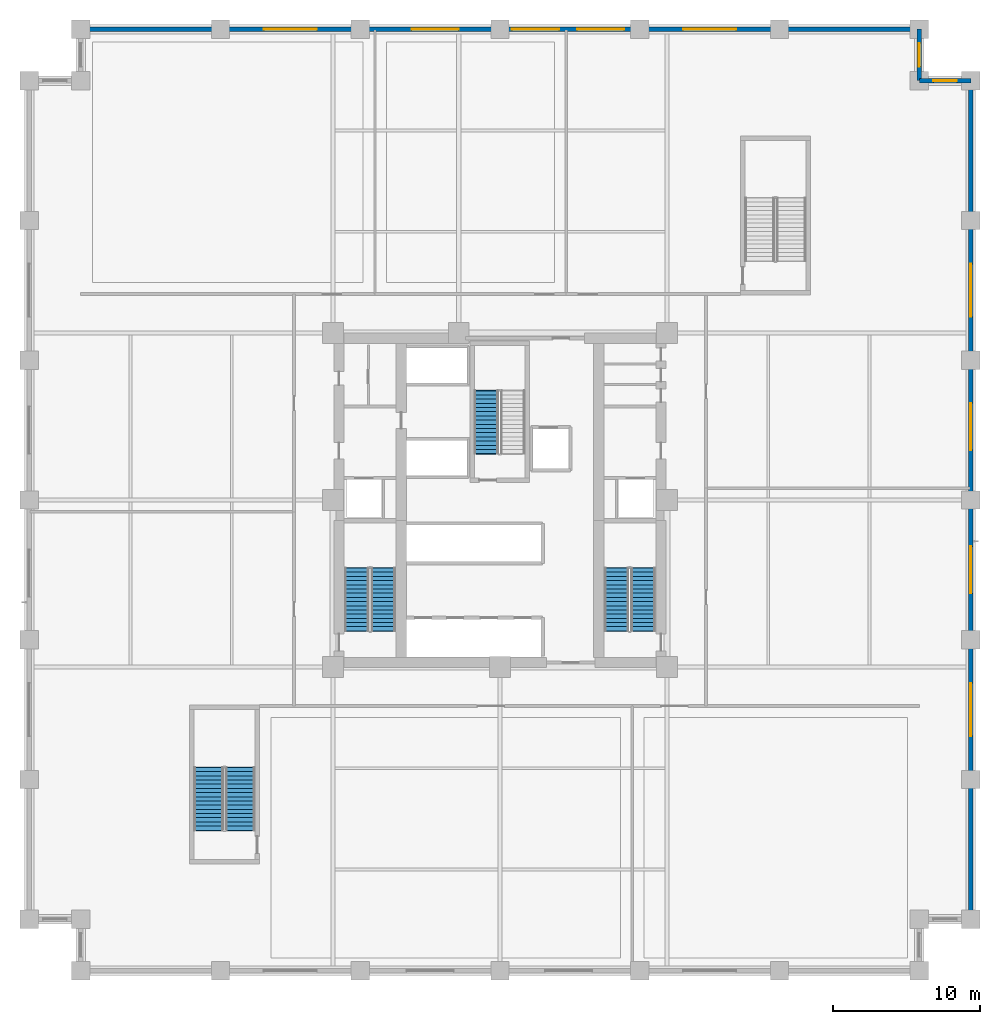
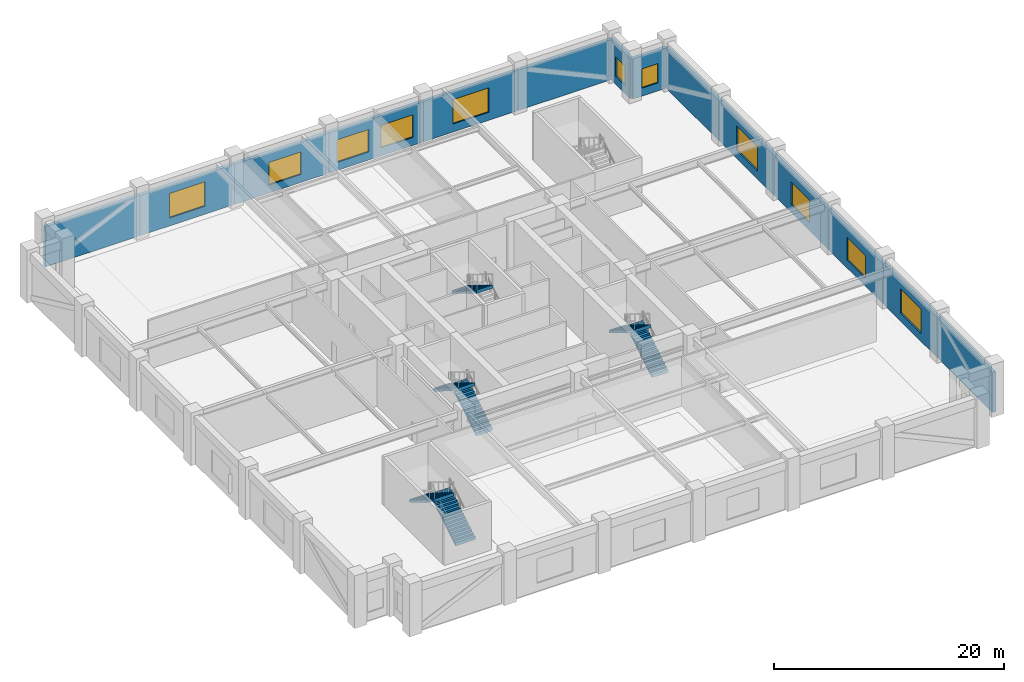
# One storey, part 8 of 14: 14 walls, 11 windows, 7 stair flights, 11 openings, 4 elements without a shape of their own.
"""IFC4 building model written with IfcOpenShell, lengths in metres."""

from ifc_helpers import new_model, si_unit, direction, frame, frame_2d, origin, place, context, subcontext, project, spatial, polyline, rectangle, outline, extrude, material, layer, layer_set, type_object, element, fill, aggregate, save


model = new_model("IFC4")

# Units and contexts
model_context = context("Model", 3, precision=1e-05, world=origin(), true_north=direction((0.0, 1.0)))
body_context = subcontext(model_context, "Body", "Model", "MODEL_VIEW")
ifc_project = project(units=[si_unit("LENGTHUNIT", "METRE"), si_unit("AREAUNIT", "SQUARE_METRE"), si_unit("VOLUMEUNIT", "CUBIC_METRE"), si_unit("PLANEANGLEUNIT", "RADIAN"), si_unit("MASSUNIT", "GRAM", prefix="KILO")], contexts=[model_context])

# Site, building, storey
site_placement = place(None, origin())
site = spatial("IfcSite", under=ifc_project, at=site_placement, CompositionType="ELEMENT")
building_placement = place(site_placement, origin())
building = spatial("IfcBuilding", under=site, at=building_placement, Name="Nhamokura Convention Tower", CompositionType="ELEMENT")
storey_placement = place(building_placement, frame((0.0, 0.0, 23.800048828125)))
storey = spatial("IfcBuildingStorey", under=building, at=storey_placement, Name="L04", CompositionType="ELEMENT", Elevation=23.800048828125)

# Wall
ifc_material_1 = material(Name="Bronze-pigmented precast concrete C45/55", Category="concrete")
ifc_layer = layer(ifc_material_1, 0.320068359375)
ifc_layer_set = layer_set([ifc_layer], Name="BronzePrecastSpandrel_320")
wall_type = type_object("IfcWallType", Name="BronzePrecastSpandrel_320", PredefinedType="USERDEFINED", material=ifc_layer_set)
wall_1_placement = place(storey_placement, frame((3.5, 64.0, 0.0), z_axis=(0.0, 0.0, 1.0), x_axis=(1.0, 0.0, 0.0)))
element("IfcWall", 1, at=wall_1_placement, inside=storey, type_object=wall_type, Name="L04 Braced-Bay Precast Wall NORTH 0", ObjectType="SPANDREL_WALL", PredefinedType="USERDEFINED", context=body_context, shape_type="SweptSolid", body=[
    extrude(rectangle(XDim=9.5, YDim=0.320068359375, at=frame_2d((4.75, 0.0))), origin(), (0.0, 0.0, 1.0), 4.280029296875),
])

# Wall, opening, window
wall_2_placement = place(storey_placement, frame((13.0, 64.0, 0.0), z_axis=(0.0, 0.0, 1.0), x_axis=(1.0, 0.0, 0.0)))
wall_2 = element("IfcWall", 2, at=wall_2_placement, inside=storey, type_object=wall_type, Name="L04 Masonry-Frame Wall NORTH 1", ObjectType="SPANDREL_WALL", PredefinedType="USERDEFINED", context=body_context, shape_type="SweptSolid", body=[
    extrude(rectangle(XDim=9.5, YDim=0.320068359375, at=frame_2d((4.75, 0.0))), origin(), (0.0, 0.0, 1.0), 4.280029296875),
])
opening_1_placement = place(wall_2_placement, frame((2.949951171875, 0.0, 0.85009765625)))
opening_1 = element("IfcOpeningElement", 3, at=opening_1_placement, cuts=wall_2, Name="Opening W-01", PredefinedType="OPENING", context=body_context, shape_type="SweptSolid", body=[
    extrude(rectangle(XDim=3.60009765625, YDim=2.60009765625, at=frame_2d((1.800048828125, 1.300048828125))), frame((0.0, 0.169921875, 0.0), z_axis=(0.0, -1.0, 0.0), x_axis=(1.0, 0.0, 0.0)), (0.0, 0.0, 1.0), 0.340087890625),
])
ifc_material_2 = material(Name="Solar-control bronze low-E double glass", Category="glass")
window_type_1 = type_object("IfcWindowType", Name="PodiumClerestoryWindow_3600", PartitioningType="TRIPLE_PANEL_VERTICAL", PredefinedType="WINDOW", material=ifc_material_2)
window_1_placement = place(opening_1_placement, origin())
window_1 = element("IfcWindow", 4, at=window_1_placement, inside=storey, type_object=window_type_1, Name="L04 Facade Window NORTH 1", OverallHeight=2.60009765625, OverallWidth=3.60009765625, PartitioningType="SINGLE_PANEL", PredefinedType="WINDOW", context=body_context, shape_type="SweptSolid", body=[
    extrude(rectangle(XDim=3.60009765625, YDim=2.60009765625, at=frame_2d((1.800048828125, 1.300048828125))), frame((0.0, 0.030029296875, 0.0), z_axis=(0.0, -1.0, 0.0), x_axis=(1.0, 0.0, 0.0)), (0.0, 0.0, 1.0), 0.06005859375),
])
fill(opening_1, window_1)

wall_3_placement = place(storey_placement, frame((22.5, 64.0, 0.0), z_axis=(0.0, 0.0, 1.0), x_axis=(1.0, 0.0, 0.0)))
wall_3 = element("IfcWall", 5, at=wall_3_placement, inside=storey, type_object=wall_type, Name="L04 Masonry-Frame Wall NORTH 2", ObjectType="SPANDREL_WALL", PredefinedType="USERDEFINED", context=body_context, shape_type="SweptSolid", body=[
    extrude(rectangle(XDim=9.5, YDim=0.320068359375, at=frame_2d((4.75, 0.0))), origin(), (0.0, 0.0, 1.0), 4.280029296875),
])
opening_2_placement = place(wall_3_placement, frame((3.487548828125, 0.0, 0.85009765625)))
opening_2 = element("IfcOpeningElement", 6, at=opening_2_placement, cuts=wall_3, Name="Opening W-02", PredefinedType="OPENING", context=body_context, shape_type="SweptSolid", body=[
    extrude(rectangle(XDim=3.199951171875, YDim=2.39990234375, at=frame_2d((1.60009765625, 1.199951171875))), frame((0.0, 0.169921875, 0.0), z_axis=(0.0, -1.0, 0.0), x_axis=(1.0, 0.0, 0.0)), (0.0, 0.0, 1.0), 0.340087890625),
])
ifc_material_3 = material(Name="Solar-control bronze low-E double glass", Category="glass")
window_type_2 = type_object("IfcWindowType", Name="ConventionFoyerWindow_3200", PartitioningType="DOUBLE_PANEL_VERTICAL", PredefinedType="WINDOW", material=ifc_material_3)
window_2_placement = place(opening_2_placement, origin())
window_2 = element("IfcWindow", 7, at=window_2_placement, inside=storey, type_object=window_type_2, Name="L04 Facade Window NORTH 2-2", OverallHeight=2.39990234375, OverallWidth=3.199951171875, PartitioningType="SINGLE_PANEL", PredefinedType="WINDOW", context=body_context, shape_type="SweptSolid", body=[
    extrude(rectangle(XDim=3.199951171875, YDim=2.39990234375, at=frame_2d((1.60009765625, 1.199951171875))), frame((0.0, 0.030029296875, 0.0), z_axis=(0.0, -1.0, 0.0), x_axis=(1.0, 0.0, 0.0)), (0.0, 0.0, 1.0), 0.06005859375),
])
fill(opening_2, window_2)

# Wall, openings, windows
wall_4_placement = place(storey_placement, frame((32.0, 64.0, 0.0), z_axis=(0.0, 0.0, 1.0), x_axis=(1.0, 0.0, 0.0)))
wall_4 = element("IfcWall", 8, at=wall_4_placement, inside=storey, type_object=wall_type, Name="L04 Masonry-Frame Wall NORTH 3", ObjectType="SPANDREL_WALL", PredefinedType="USERDEFINED", context=body_context, shape_type="SweptSolid", body=[
    extrude(rectangle(XDim=9.5, YDim=0.320068359375, at=frame_2d((4.75, 0.0))), origin(), (0.0, 0.0, 1.0), 4.280029296875),
])
opening_3_placement = place(wall_4_placement, frame((0.8125, 0.0, 0.85009765625)))
opening_3 = element("IfcOpeningElement", 9, at=opening_3_placement, cuts=wall_4, Name="Opening W-02", PredefinedType="OPENING", context=body_context, shape_type="SweptSolid", body=[
    extrude(rectangle(XDim=3.199951171875, YDim=2.39990234375, at=frame_2d((1.60009765625, 1.199951171875))), frame((0.0, 0.169921875, 0.0), z_axis=(0.0, -1.0, 0.0), x_axis=(1.0, 0.0, 0.0)), (0.0, 0.0, 1.0), 0.340087890625),
])
opening_4_placement = place(wall_4_placement, frame((5.237548828125, 0.0, 0.85009765625)))
opening_4 = element("IfcOpeningElement", 10, at=opening_4_placement, cuts=wall_4, Name="Opening W-02", PredefinedType="OPENING", context=body_context, shape_type="SweptSolid", body=[
    extrude(rectangle(XDim=3.199951171875, YDim=2.39990234375, at=frame_2d((1.60009765625, 1.199951171875))), frame((0.0, 0.169921875, 0.0), z_axis=(0.0, -1.0, 0.0), x_axis=(1.0, 0.0, 0.0)), (0.0, 0.0, 1.0), 0.340087890625),
])
window_3_placement = place(opening_3_placement, origin())
window_3 = element("IfcWindow", 11, at=window_3_placement, inside=storey, type_object=window_type_2, Name="L04 Facade Window NORTH 3-1", OverallHeight=2.39990234375, OverallWidth=3.199951171875, PartitioningType="SINGLE_PANEL", PredefinedType="WINDOW", context=body_context, shape_type="SweptSolid", body=[
    extrude(rectangle(XDim=3.199951171875, YDim=2.39990234375, at=frame_2d((1.60009765625, 1.199951171875))), frame((0.0, 0.030029296875, 0.0), z_axis=(0.0, -1.0, 0.0), x_axis=(1.0, 0.0, 0.0)), (0.0, 0.0, 1.0), 0.06005859375),
])
fill(opening_3, window_3)
window_4_placement = place(opening_4_placement, origin())
window_4 = element("IfcWindow", 12, at=window_4_placement, inside=storey, type_object=window_type_2, Name="L04 Facade Window NORTH 3-2", OverallHeight=2.39990234375, OverallWidth=3.199951171875, PartitioningType="SINGLE_PANEL", PredefinedType="WINDOW", context=body_context, shape_type="SweptSolid", body=[
    extrude(rectangle(XDim=3.199951171875, YDim=2.39990234375, at=frame_2d((1.60009765625, 1.199951171875))), frame((0.0, 0.030029296875, 0.0), z_axis=(0.0, -1.0, 0.0), x_axis=(1.0, 0.0, 0.0)), (0.0, 0.0, 1.0), 0.06005859375),
])
fill(opening_4, window_4)

# Wall, opening, window
wall_5_placement = place(storey_placement, frame((41.5, 64.0, 0.0), z_axis=(0.0, 0.0, 1.0), x_axis=(1.0, 0.0, 0.0)))
wall_5 = element("IfcWall", 13, at=wall_5_placement, inside=storey, type_object=wall_type, Name="L04 Masonry-Frame Wall NORTH 4", ObjectType="SPANDREL_WALL", PredefinedType="USERDEFINED", context=body_context, shape_type="SweptSolid", body=[
    extrude(rectangle(XDim=9.5, YDim=0.320068359375, at=frame_2d((4.75, 0.0))), origin(), (0.0, 0.0, 1.0), 4.280029296875),
])
opening_5_placement = place(wall_5_placement, frame((2.949951171875, 0.0, 0.85009765625)))
opening_5 = element("IfcOpeningElement", 14, at=opening_5_placement, cuts=wall_5, Name="Opening W-01", PredefinedType="OPENING", context=body_context, shape_type="SweptSolid", body=[
    extrude(rectangle(XDim=3.60009765625, YDim=2.60009765625, at=frame_2d((1.800048828125, 1.300048828125))), frame((0.0, 0.169921875, 0.0), z_axis=(0.0, -1.0, 0.0), x_axis=(1.0, 0.0, 0.0)), (0.0, 0.0, 1.0), 0.340087890625),
])
window_5_placement = place(opening_5_placement, origin())
window_5 = element("IfcWindow", 15, at=window_5_placement, inside=storey, type_object=window_type_1, Name="L04 Facade Window NORTH 4", OverallHeight=2.60009765625, OverallWidth=3.60009765625, PartitioningType="SINGLE_PANEL", PredefinedType="WINDOW", context=body_context, shape_type="SweptSolid", body=[
    extrude(rectangle(XDim=3.60009765625, YDim=2.60009765625, at=frame_2d((1.800048828125, 1.300048828125))), frame((0.0, 0.030029296875, 0.0), z_axis=(0.0, -1.0, 0.0), x_axis=(1.0, 0.0, 0.0)), (0.0, 0.0, 1.0), 0.06005859375),
])
fill(opening_5, window_5)

# Walls
for number, where, z_axis, x_axis, name in (
    (16, (51.0, 64.0, 0.0), (0.0, 0.0, 1.0), (1.0, 0.0, 0.0), "L04 Braced-Bay Precast Wall NORTH 5"),
    (17, (64.0, 13.0, 0.0), (0.0, 0.0, 1.0), (0.0, -1.0, 0.0), "L04 Braced-Bay Precast Wall EAST 0"),
):
    element("IfcWall", number, at=place(storey_placement, frame(where, z_axis=z_axis, x_axis=x_axis)), inside=storey, type_object=wall_type, Name=name, ObjectType="SPANDREL_WALL", PredefinedType="USERDEFINED", context=body_context, shape_type="SweptSolid", body=[
        extrude(rectangle(XDim=9.5, YDim=0.320068359375, at=frame_2d((4.75, 0.0))), origin(), (0.0, 0.0, 1.0), 4.280029296875),
    ])

# Wall, opening, window
wall_6_placement = place(storey_placement, frame((64.0, 22.5, 0.0), z_axis=(0.0, 0.0, 1.0), x_axis=(0.0, -1.0, 0.0)))
wall_6 = element("IfcWall", 18, at=wall_6_placement, inside=storey, type_object=wall_type, Name="L04 Masonry-Frame Wall EAST 1", ObjectType="SPANDREL_WALL", PredefinedType="USERDEFINED", context=body_context, shape_type="SweptSolid", body=[
    extrude(rectangle(XDim=9.5, YDim=0.320068359375, at=frame_2d((4.75, 0.0))), origin(), (0.0, 0.0, 1.0), 4.280029296875),
])
opening_6_placement = place(wall_6_placement, frame((2.949951171875, 0.0, 0.85009765625)))
opening_6 = element("IfcOpeningElement", 19, at=opening_6_placement, cuts=wall_6, Name="Opening W-01", PredefinedType="OPENING", context=body_context, shape_type="SweptSolid", body=[
    extrude(rectangle(XDim=3.60009765625, YDim=2.60009765625, at=frame_2d((1.800048828125, 1.300048828125))), frame((0.0, 0.169921875, 0.0), z_axis=(0.0, -1.0, 0.0), x_axis=(1.0, 0.0, 0.0)), (0.0, 0.0, 1.0), 0.340087890625),
])
window_6_placement = place(opening_6_placement, origin())
window_6 = element("IfcWindow", 20, at=window_6_placement, inside=storey, type_object=window_type_1, Name="L04 Facade Window EAST 1", OverallHeight=2.60009765625, OverallWidth=3.60009765625, PartitioningType="SINGLE_PANEL", PredefinedType="WINDOW", context=body_context, shape_type="SweptSolid", body=[
    extrude(rectangle(XDim=3.60009765625, YDim=2.60009765625, at=frame_2d((1.800048828125, 1.300048828125))), frame((0.0, 0.030029296875, 0.0), z_axis=(0.0, -1.0, 0.0), x_axis=(1.0, 0.0, 0.0)), (0.0, 0.0, 1.0), 0.06005859375),
])
fill(opening_6, window_6)

wall_7_placement = place(storey_placement, frame((64.0, 32.0, 0.0), z_axis=(0.0, 0.0, 1.0), x_axis=(0.0, -1.0, 0.0)))
wall_7 = element("IfcWall", 21, at=wall_7_placement, inside=storey, type_object=wall_type, Name="L04 Masonry-Frame Wall EAST 2", ObjectType="SPANDREL_WALL", PredefinedType="USERDEFINED", context=body_context, shape_type="SweptSolid", body=[
    extrude(rectangle(XDim=9.5, YDim=0.320068359375, at=frame_2d((4.75, 0.0))), origin(), (0.0, 0.0, 1.0), 4.280029296875),
])
opening_7_placement = place(wall_7_placement, frame((3.14990234375, 0.0, 0.85009765625)))
opening_7 = element("IfcOpeningElement", 22, at=opening_7_placement, cuts=wall_7, Name="Opening W-02", PredefinedType="OPENING", context=body_context, shape_type="SweptSolid", body=[
    extrude(rectangle(XDim=3.199951171875, YDim=2.39990234375, at=frame_2d((1.60009765625, 1.199951171875))), frame((0.0, 0.169921875, 0.0), z_axis=(0.0, -1.0, 0.0), x_axis=(1.0, 0.0, 0.0)), (0.0, 0.0, 1.0), 0.340087890625),
])
window_7_placement = place(opening_7_placement, origin())
window_7 = element("IfcWindow", 23, at=window_7_placement, inside=storey, type_object=window_type_2, Name="L04 Facade Window EAST 2", OverallHeight=2.39990234375, OverallWidth=3.199951171875, PartitioningType="SINGLE_PANEL", PredefinedType="WINDOW", context=body_context, shape_type="SweptSolid", body=[
    extrude(rectangle(XDim=3.199951171875, YDim=2.39990234375, at=frame_2d((1.60009765625, 1.199951171875))), frame((0.0, 0.030029296875, 0.0), z_axis=(0.0, -1.0, 0.0), x_axis=(1.0, 0.0, 0.0)), (0.0, 0.0, 1.0), 0.06005859375),
])
fill(opening_7, window_7)

wall_8_placement = place(storey_placement, frame((64.0, 41.5, 0.0), z_axis=(0.0, 0.0, 1.0), x_axis=(0.0, -1.0, 0.0)))
wall_8 = element("IfcWall", 24, at=wall_8_placement, inside=storey, type_object=wall_type, Name="L04 Masonry-Frame Wall EAST 3", ObjectType="SPANDREL_WALL", PredefinedType="USERDEFINED", context=body_context, shape_type="SweptSolid", body=[
    extrude(rectangle(XDim=9.5, YDim=0.320068359375, at=frame_2d((4.75, 0.0))), origin(), (0.0, 0.0, 1.0), 4.280029296875),
])
opening_8_placement = place(wall_8_placement, frame((2.91259765625, 0.0, 0.85009765625)))
opening_8 = element("IfcOpeningElement", 25, at=opening_8_placement, cuts=wall_8, Name="Opening W-02", PredefinedType="OPENING", context=body_context, shape_type="SweptSolid", body=[
    extrude(rectangle(XDim=3.199951171875, YDim=2.39990234375, at=frame_2d((1.60009765625, 1.199951171875))), frame((0.0, 0.169921875, 0.0), z_axis=(0.0, -1.0, 0.0), x_axis=(1.0, 0.0, 0.0)), (0.0, 0.0, 1.0), 0.340087890625),
])
window_8_placement = place(opening_8_placement, origin())
window_8 = element("IfcWindow", 26, at=window_8_placement, inside=storey, type_object=window_type_2, Name="L04 Facade Window EAST 3", OverallHeight=2.39990234375, OverallWidth=3.199951171875, PartitioningType="SINGLE_PANEL", PredefinedType="WINDOW", context=body_context, shape_type="SweptSolid", body=[
    extrude(rectangle(XDim=3.199951171875, YDim=2.39990234375, at=frame_2d((1.60009765625, 1.199951171875))), frame((0.0, 0.030029296875, 0.0), z_axis=(0.0, -1.0, 0.0), x_axis=(1.0, 0.0, 0.0)), (0.0, 0.0, 1.0), 0.06005859375),
])
fill(opening_8, window_8)

wall_9_placement = place(storey_placement, frame((64.0, 51.0, 0.0), z_axis=(0.0, 0.0, 1.0), x_axis=(0.0, -1.0, 0.0)))
wall_9 = element("IfcWall", 27, at=wall_9_placement, inside=storey, type_object=wall_type, Name="L04 Masonry-Frame Wall EAST 4", ObjectType="SPANDREL_WALL", PredefinedType="USERDEFINED", context=body_context, shape_type="SweptSolid", body=[
    extrude(rectangle(XDim=9.5, YDim=0.320068359375, at=frame_2d((4.75, 0.0))), origin(), (0.0, 0.0, 1.0), 4.280029296875),
])
opening_9_placement = place(wall_9_placement, frame((2.949951171875, 0.0, 0.85009765625)))
opening_9 = element("IfcOpeningElement", 28, at=opening_9_placement, cuts=wall_9, Name="Opening W-01", PredefinedType="OPENING", context=body_context, shape_type="SweptSolid", body=[
    extrude(rectangle(XDim=3.60009765625, YDim=2.60009765625, at=frame_2d((1.800048828125, 1.300048828125))), frame((0.0, 0.169921875, 0.0), z_axis=(0.0, -1.0, 0.0), x_axis=(1.0, 0.0, 0.0)), (0.0, 0.0, 1.0), 0.340087890625),
])
window_9_placement = place(opening_9_placement, origin())
window_9 = element("IfcWindow", 29, at=window_9_placement, inside=storey, type_object=window_type_1, Name="L04 Facade Window EAST 4", OverallHeight=2.60009765625, OverallWidth=3.60009765625, PartitioningType="SINGLE_PANEL", PredefinedType="WINDOW", context=body_context, shape_type="SweptSolid", body=[
    extrude(rectangle(XDim=3.60009765625, YDim=2.60009765625, at=frame_2d((1.800048828125, 1.300048828125))), frame((0.0, 0.030029296875, 0.0), z_axis=(0.0, -1.0, 0.0), x_axis=(1.0, 0.0, 0.0)), (0.0, 0.0, 1.0), 0.06005859375),
])
fill(opening_9, window_9)

# Wall
wall_10_placement = place(storey_placement, frame((64.0, 60.5, 0.0), z_axis=(0.0, 0.0, 1.0), x_axis=(0.0, -1.0, 0.0)))
element("IfcWall", 30, at=wall_10_placement, inside=storey, type_object=wall_type, Name="L04 Braced-Bay Precast Wall EAST 5", ObjectType="SPANDREL_WALL", PredefinedType="USERDEFINED", context=body_context, shape_type="SweptSolid", body=[
    extrude(rectangle(XDim=9.5, YDim=0.320068359375, at=frame_2d((4.75, 0.0))), origin(), (0.0, 0.0, 1.0), 4.280029296875),
])

# Wall, opening, window
wall_11_placement = place(storey_placement, frame((60.5, 60.5, 0.0), z_axis=(0.0, 0.0, 1.0), x_axis=(1.0, 0.0, 0.0)))
wall_11 = element("IfcWall", 31, at=wall_11_placement, inside=storey, type_object=wall_type, Name="L04 Notched Corner Wall NE1", ObjectType="SPANDREL_WALL", PredefinedType="USERDEFINED", context=body_context, shape_type="SweptSolid", body=[
    extrude(rectangle(XDim=3.5, YDim=0.320068359375, at=frame_2d((1.75, 0.0))), origin(), (0.0, 0.0, 1.0), 4.280029296875),
])
opening_10_placement = place(wall_11_placement, frame((0.949951171875, 0.0, 0.85009765625)))
opening_10 = element("IfcOpeningElement", 32, at=opening_10_placement, cuts=wall_11, Name="Opening W-11", PredefinedType="OPENING", context=body_context, shape_type="SweptSolid", body=[
    extrude(rectangle(XDim=1.60009765625, YDim=2.050048828125, at=frame_2d((0.800048828125, 1.02490234375))), frame((0.0, 0.169921875, 0.0), z_axis=(0.0, -1.0, 0.0), x_axis=(1.0, 0.0, 0.0)), (0.0, 0.0, 1.0), 0.340087890625),
])
ifc_material_4 = material(Name="Solar-control bronze low-E double glass", Category="glass")
window_type_3 = type_object("IfcWindowType", Name="NotchCornerWindow_1600", PartitioningType="SINGLE_PANEL", PredefinedType="WINDOW", material=ifc_material_4)
window_10_placement = place(opening_10_placement, origin())
window_10 = element("IfcWindow", 33, at=window_10_placement, inside=storey, type_object=window_type_3, Name="L04 Notched Corner Window NE1", OverallHeight=2.050048828125, OverallWidth=1.60009765625, PartitioningType="SINGLE_PANEL", PredefinedType="WINDOW", context=body_context, shape_type="SweptSolid", body=[
    extrude(rectangle(XDim=1.60009765625, YDim=2.050048828125, at=frame_2d((0.800048828125, 1.02490234375))), frame((0.0, 0.030029296875, 0.0), z_axis=(0.0, -1.0, 0.0), x_axis=(1.0, 0.0, 0.0)), (0.0, 0.0, 1.0), 0.06005859375),
])
fill(opening_10, window_10)

wall_12_placement = place(storey_placement, frame((60.5, 64.0, 0.0), z_axis=(0.0, 0.0, 1.0), x_axis=(0.0, -1.0, 0.0)))
wall_12 = element("IfcWall", 34, at=wall_12_placement, inside=storey, type_object=wall_type, Name="L04 Notched Corner Wall NE2", ObjectType="SPANDREL_WALL", PredefinedType="USERDEFINED", context=body_context, shape_type="SweptSolid", body=[
    extrude(rectangle(XDim=3.5, YDim=0.320068359375, at=frame_2d((1.75, 0.0))), origin(), (0.0, 0.0, 1.0), 4.280029296875),
])
opening_11_placement = place(wall_12_placement, frame((0.949951171875, 0.0, 0.85009765625)))
opening_11 = element("IfcOpeningElement", 35, at=opening_11_placement, cuts=wall_12, Name="Opening W-11", PredefinedType="OPENING", context=body_context, shape_type="SweptSolid", body=[
    extrude(rectangle(XDim=1.60009765625, YDim=2.050048828125, at=frame_2d((0.800048828125, 1.02490234375))), frame((0.0, 0.169921875, 0.0), z_axis=(0.0, -1.0, 0.0), x_axis=(1.0, 0.0, 0.0)), (0.0, 0.0, 1.0), 0.340087890625),
])
window_11_placement = place(opening_11_placement, origin())
window_11 = element("IfcWindow", 36, at=window_11_placement, inside=storey, type_object=window_type_3, Name="L04 Notched Corner Window NE2", OverallHeight=2.050048828125, OverallWidth=1.60009765625, PartitioningType="SINGLE_PANEL", PredefinedType="WINDOW", context=body_context, shape_type="SweptSolid", body=[
    extrude(rectangle(XDim=1.60009765625, YDim=2.050048828125, at=frame_2d((0.800048828125, 1.02490234375))), frame((0.0, 0.030029296875, 0.0), z_axis=(0.0, -1.0, 0.0), x_axis=(1.0, 0.0, 0.0)), (0.0, 0.0, 1.0), 0.06005859375),
])
fill(opening_11, window_11)

# Stair, stair flights
ifc_material_5 = material(Name="Concrete C40/50", Category="concrete")
stair_type_1 = type_object("IfcStairType", Name="PodiumExitStair_2000", PredefinedType="HALF_TURN_STAIR", material=ifc_material_5)
stair_1_placement = place(storey_placement, origin())
stair_1 = element("IfcStair", 37, at=stair_1_placement, inside=storey, type_object=stair_type_1, Name="L04 South-West Podium Smokeproof Stair ST-04", PredefinedType="HALF_TURN_STAIR")
ifc_material_6 = material(Name="Concrete C40/50", Category="concrete")
stair_flight_type_1 = type_object("IfcStairFlightType", Name="PodiumExitStair_2000_Flight", PredefinedType="STRAIGHT", material=ifc_material_6)
stair_flight_1_placement = place(storey_placement, frame((14.35009765625, 9.550048828125, 0.0), z_axis=(0.0, 0.0, 1.0), x_axis=(0.0, 1.0, 0.0)))
stair_flight_1 = element("IfcStairFlight", 38, at=stair_flight_1_placement, type_object=stair_flight_type_1, Name="ST-04 flight 1", NumberOfRisers=16, NumberOfTreads=15, PredefinedType="STRAIGHT", RiserHeight=0.175, TreadLength=0.285, context=body_context, shape_type="SweptSolid", body=[
    extrude(outline(polyline([(-0.0419921875, 0.0), (0.0, 0.175048828125), (0.284912109375, 0.175048828125), (0.284912109375, 0.35009765625), (0.570068359375, 0.35009765625), (0.570068359375, 0.52490234375), (0.85498046875, 0.52490234375), (0.85498046875, 0.699951171875), (1.139892578125, 0.699951171875), (1.139892578125, 0.875), (1.425048828125, 0.875), (1.425048828125, 1.050048828125), (1.7099609375, 1.050048828125), (1.7099609375, 1.22509765625), (1.9951171875, 1.22509765625), (1.9951171875, 1.39990234375), (2.280029296875, 1.39990234375), (2.280029296875, 1.574951171875), (2.56494140625, 1.574951171875), (2.56494140625, 1.75), (2.85009765625, 1.75), (2.85009765625, 1.925048828125), (3.135009765625, 1.925048828125), (3.135009765625, 2.10009765625), (3.419921875, 2.10009765625), (3.419921875, 2.27490234375), (3.705078125, 2.27490234375), (3.705078125, 2.449951171875), (3.989990234375, 2.449951171875), (3.989990234375, 2.625), (4.27490234375, 2.625), (4.27490234375, 2.800048828125), (4.31689453125, 2.800048828125), (4.31689453125, 2.448974609375), (4.27490234375, 2.448974609375), (0.286376953125, 0.0), (0.02001953125, -0.1298828125), (-0.0419921875, -0.1298828125), (-0.0419921875, 0.0)])), frame((0.0, 1.0, 0.0), z_axis=(0.0, -1.0, 0.0), x_axis=(1.0, 0.0, 0.0)), (0.0, 0.0, 1.0), 2.0),
])
stair_flight_2_placement = place(storey_placement, frame((12.199951171875, 13.824951171875, 2.800048828125), z_axis=(0.0, 0.0, 1.0), x_axis=(0.0, -1.0, 0.0)))
stair_flight_2 = element("IfcStairFlight", 39, at=stair_flight_2_placement, type_object=stair_flight_type_1, Name="ST-04 flight 2", NumberOfRisers=16, NumberOfTreads=15, PredefinedType="STRAIGHT", RiserHeight=0.175, TreadLength=0.285, context=body_context, shape_type="SweptSolid", body=[
    extrude(outline(polyline([(-0.0419921875, 0.0), (0.0, 0.175048828125), (0.284912109375, 0.175048828125), (0.284912109375, 0.35009765625), (0.570068359375, 0.35009765625), (0.570068359375, 0.52490234375), (0.85498046875, 0.52490234375), (0.85498046875, 0.699951171875), (1.139892578125, 0.699951171875), (1.139892578125, 0.875), (1.425048828125, 0.875), (1.425048828125, 1.050048828125), (1.7099609375, 1.050048828125), (1.7099609375, 1.22509765625), (1.9951171875, 1.22509765625), (1.9951171875, 1.39990234375), (2.280029296875, 1.39990234375), (2.280029296875, 1.574951171875), (2.56494140625, 1.574951171875), (2.56494140625, 1.75), (2.85009765625, 1.75), (2.85009765625, 1.925048828125), (3.135009765625, 1.925048828125), (3.135009765625, 2.10009765625), (3.419921875, 2.10009765625), (3.419921875, 2.27490234375), (3.705078125, 2.27490234375), (3.705078125, 2.449951171875), (3.989990234375, 2.449951171875), (3.989990234375, 2.625), (4.27490234375, 2.625), (4.27490234375, 2.800048828125), (4.31689453125, 2.800048828125), (4.31689453125, 2.448974609375), (4.27490234375, 2.448974609375), (0.286376953125, 0.0), (0.02001953125, -0.1298828125), (-0.0419921875, -0.1298828125), (-0.0419921875, 0.0)])), frame((0.0, 1.0, 0.0), z_axis=(0.0, -1.0, 0.0), x_axis=(1.0, 0.0, 0.0)), (0.0, 0.0, 1.0), 2.0),
])
aggregate(stair_1, [stair_flight_1, stair_flight_2])

ifc_material_7 = material(Name="Concrete C40/50", Category="concrete")
stair_type_2 = type_object("IfcStairType", Name="TowerCoreStair_1650", PredefinedType="HALF_TURN_STAIR", material=ifc_material_7)
stair_2_placement = place(storey_placement, origin())
stair_2 = element("IfcStair", 40, at=stair_2_placement, inside=storey, type_object=stair_type_2, Name="L04 West Core Smokeproof Stair ST-01", PredefinedType="HALF_TURN_STAIR")
ifc_material_8 = material(Name="Concrete C40/50", Category="concrete")
stair_flight_type_2 = type_object("IfcStairFlightType", Name="TowerCoreStair_1650_Flight", PredefinedType="STRAIGHT", material=ifc_material_8)
stair_flight_3_placement = place(storey_placement, frame((24.074951171875, 23.10009765625, 0.0), z_axis=(0.0, 0.0, 1.0), x_axis=(0.0, 1.0, 0.0)))
stair_flight_3 = element("IfcStairFlight", 41, at=stair_flight_3_placement, type_object=stair_flight_type_2, Name="ST-01 flight 1", NumberOfRisers=16, NumberOfTreads=15, PredefinedType="STRAIGHT", RiserHeight=0.175, TreadLength=0.285, context=body_context, shape_type="SweptSolid", body=[
    extrude(outline(polyline([(-0.0419921875, 0.0), (0.0, 0.175048828125), (0.284912109375, 0.175048828125), (0.284912109375, 0.35009765625), (0.570068359375, 0.35009765625), (0.570068359375, 0.52490234375), (0.85498046875, 0.52490234375), (0.85498046875, 0.699951171875), (1.139892578125, 0.699951171875), (1.139892578125, 0.875), (1.425048828125, 0.875), (1.425048828125, 1.050048828125), (1.7099609375, 1.050048828125), (1.7099609375, 1.22509765625), (1.9951171875, 1.22509765625), (1.9951171875, 1.39990234375), (2.280029296875, 1.39990234375), (2.280029296875, 1.574951171875), (2.56494140625, 1.574951171875), (2.56494140625, 1.75), (2.85009765625, 1.75), (2.85009765625, 1.925048828125), (3.135009765625, 1.925048828125), (3.135009765625, 2.10009765625), (3.419921875, 2.10009765625), (3.419921875, 2.27490234375), (3.705078125, 2.27490234375), (3.705078125, 2.449951171875), (3.989990234375, 2.449951171875), (3.989990234375, 2.625), (4.27490234375, 2.625), (4.27490234375, 2.800048828125), (4.31689453125, 2.800048828125), (4.31689453125, 2.448974609375), (4.27490234375, 2.448974609375), (0.286376953125, 0.0), (0.02001953125, -0.1298828125), (-0.0419921875, -0.1298828125), (-0.0419921875, 0.0)])), frame((0.0, 0.824951171875, 0.0), z_axis=(0.0, -1.0, 0.0), x_axis=(1.0, 0.0, 0.0)), (0.0, 0.0, 1.0), 1.64990234375),
])
stair_flight_4_placement = place(storey_placement, frame((22.27490234375, 27.375, 2.800048828125), z_axis=(0.0, 0.0, 1.0), x_axis=(0.0, -1.0, 0.0)))
stair_flight_4 = element("IfcStairFlight", 42, at=stair_flight_4_placement, type_object=stair_flight_type_2, Name="ST-01 flight 2", NumberOfRisers=16, NumberOfTreads=15, PredefinedType="STRAIGHT", RiserHeight=0.175, TreadLength=0.285, context=body_context, shape_type="SweptSolid", body=[
    extrude(outline(polyline([(-0.0419921875, 0.0), (0.0, 0.175048828125), (0.284912109375, 0.175048828125), (0.284912109375, 0.35009765625), (0.570068359375, 0.35009765625), (0.570068359375, 0.52490234375), (0.85498046875, 0.52490234375), (0.85498046875, 0.699951171875), (1.139892578125, 0.699951171875), (1.139892578125, 0.875), (1.425048828125, 0.875), (1.425048828125, 1.050048828125), (1.7099609375, 1.050048828125), (1.7099609375, 1.22509765625), (1.9951171875, 1.22509765625), (1.9951171875, 1.39990234375), (2.280029296875, 1.39990234375), (2.280029296875, 1.574951171875), (2.56494140625, 1.574951171875), (2.56494140625, 1.75), (2.85009765625, 1.75), (2.85009765625, 1.925048828125), (3.135009765625, 1.925048828125), (3.135009765625, 2.10009765625), (3.419921875, 2.10009765625), (3.419921875, 2.27490234375), (3.705078125, 2.27490234375), (3.705078125, 2.449951171875), (3.989990234375, 2.449951171875), (3.989990234375, 2.625), (4.27490234375, 2.625), (4.27490234375, 2.800048828125), (4.31689453125, 2.800048828125), (4.31689453125, 2.448974609375), (4.27490234375, 2.448974609375), (0.286376953125, 0.0), (0.02001953125, -0.1298828125), (-0.0419921875, -0.1298828125), (-0.0419921875, 0.0)])), frame((0.0, 0.824951171875, 0.0), z_axis=(0.0, -1.0, 0.0), x_axis=(1.0, 0.0, 0.0)), (0.0, 0.0, 1.0), 1.64990234375),
])
aggregate(stair_2, [stair_flight_3, stair_flight_4])

stair_3_placement = place(storey_placement, origin())
stair_3 = element("IfcStair", 43, at=stair_3_placement, inside=storey, type_object=stair_type_2, Name="L04 East Core Smokeproof Stair ST-02", PredefinedType="HALF_TURN_STAIR")
stair_flight_5_placement = place(storey_placement, frame((41.72509765625, 23.10009765625, 0.0), z_axis=(0.0, 0.0, 1.0), x_axis=(0.0, 1.0, 0.0)))
stair_flight_5 = element("IfcStairFlight", 44, at=stair_flight_5_placement, type_object=stair_flight_type_2, Name="ST-02 flight 1", NumberOfRisers=16, NumberOfTreads=15, PredefinedType="STRAIGHT", RiserHeight=0.175, TreadLength=0.285, context=body_context, shape_type="SweptSolid", body=[
    extrude(outline(polyline([(-0.0419921875, 0.0), (0.0, 0.175048828125), (0.284912109375, 0.175048828125), (0.284912109375, 0.35009765625), (0.570068359375, 0.35009765625), (0.570068359375, 0.52490234375), (0.85498046875, 0.52490234375), (0.85498046875, 0.699951171875), (1.139892578125, 0.699951171875), (1.139892578125, 0.875), (1.425048828125, 0.875), (1.425048828125, 1.050048828125), (1.7099609375, 1.050048828125), (1.7099609375, 1.22509765625), (1.9951171875, 1.22509765625), (1.9951171875, 1.39990234375), (2.280029296875, 1.39990234375), (2.280029296875, 1.574951171875), (2.56494140625, 1.574951171875), (2.56494140625, 1.75), (2.85009765625, 1.75), (2.85009765625, 1.925048828125), (3.135009765625, 1.925048828125), (3.135009765625, 2.10009765625), (3.419921875, 2.10009765625), (3.419921875, 2.27490234375), (3.705078125, 2.27490234375), (3.705078125, 2.449951171875), (3.989990234375, 2.449951171875), (3.989990234375, 2.625), (4.27490234375, 2.625), (4.27490234375, 2.800048828125), (4.31689453125, 2.800048828125), (4.31689453125, 2.448974609375), (4.27490234375, 2.448974609375), (0.286376953125, 0.0), (0.02001953125, -0.1298828125), (-0.0419921875, -0.1298828125), (-0.0419921875, 0.0)])), frame((0.0, 0.824951171875, 0.0), z_axis=(0.0, -1.0, 0.0), x_axis=(1.0, 0.0, 0.0)), (0.0, 0.0, 1.0), 1.64990234375),
])
stair_flight_6_placement = place(storey_placement, frame((39.925048828125, 27.375, 2.800048828125), z_axis=(0.0, 0.0, 1.0), x_axis=(0.0, -1.0, 0.0)))
stair_flight_6 = element("IfcStairFlight", 45, at=stair_flight_6_placement, type_object=stair_flight_type_2, Name="ST-02 flight 2", NumberOfRisers=16, NumberOfTreads=15, PredefinedType="STRAIGHT", RiserHeight=0.175, TreadLength=0.285, context=body_context, shape_type="SweptSolid", body=[
    extrude(outline(polyline([(-0.0419921875, 0.0), (0.0, 0.175048828125), (0.284912109375, 0.175048828125), (0.284912109375, 0.35009765625), (0.570068359375, 0.35009765625), (0.570068359375, 0.52490234375), (0.85498046875, 0.52490234375), (0.85498046875, 0.699951171875), (1.139892578125, 0.699951171875), (1.139892578125, 0.875), (1.425048828125, 0.875), (1.425048828125, 1.050048828125), (1.7099609375, 1.050048828125), (1.7099609375, 1.22509765625), (1.9951171875, 1.22509765625), (1.9951171875, 1.39990234375), (2.280029296875, 1.39990234375), (2.280029296875, 1.574951171875), (2.56494140625, 1.574951171875), (2.56494140625, 1.75), (2.85009765625, 1.75), (2.85009765625, 1.925048828125), (3.135009765625, 1.925048828125), (3.135009765625, 2.10009765625), (3.419921875, 2.10009765625), (3.419921875, 2.27490234375), (3.705078125, 2.27490234375), (3.705078125, 2.449951171875), (3.989990234375, 2.449951171875), (3.989990234375, 2.625), (4.27490234375, 2.625), (4.27490234375, 2.800048828125), (4.31689453125, 2.800048828125), (4.31689453125, 2.448974609375), (4.27490234375, 2.448974609375), (0.286376953125, 0.0), (0.02001953125, -0.1298828125), (-0.0419921875, -0.1298828125), (-0.0419921875, 0.0)])), frame((0.0, 0.824951171875, 0.0), z_axis=(0.0, -1.0, 0.0), x_axis=(1.0, 0.0, 0.0)), (0.0, 0.0, 1.0), 1.64990234375),
])
aggregate(stair_3, [stair_flight_5, stair_flight_6])

# Stair, stair flight
stair_4_placement = place(storey_placement, origin())
stair_4 = element("IfcStair", 46, at=stair_4_placement, inside=storey, type_object=stair_type_2, Name="L04 North Core Smokeproof Stair ST-03", PredefinedType="HALF_TURN_STAIR")
stair_flight_7_placement = place(storey_placement, frame((31.074951171875, 39.425048828125, 2.800048828125), z_axis=(0.0, 0.0, 1.0), x_axis=(0.0, -1.0, 0.0)))
stair_flight_7 = element("IfcStairFlight", 47, at=stair_flight_7_placement, type_object=stair_flight_type_2, Name="ST-03 flight 2", NumberOfRisers=16, NumberOfTreads=15, PredefinedType="STRAIGHT", RiserHeight=0.175, TreadLength=0.285, context=body_context, shape_type="SweptSolid", body=[
    extrude(outline(polyline([(-0.0419921875, 0.0), (0.0, 0.175048828125), (0.284912109375, 0.175048828125), (0.284912109375, 0.35009765625), (0.570068359375, 0.35009765625), (0.570068359375, 0.52490234375), (0.85498046875, 0.52490234375), (0.85498046875, 0.699951171875), (1.139892578125, 0.699951171875), (1.139892578125, 0.875), (1.425048828125, 0.875), (1.425048828125, 1.050048828125), (1.7099609375, 1.050048828125), (1.7099609375, 1.22509765625), (1.9951171875, 1.22509765625), (1.9951171875, 1.39990234375), (2.280029296875, 1.39990234375), (2.280029296875, 1.574951171875), (2.56494140625, 1.574951171875), (2.56494140625, 1.75), (2.85009765625, 1.75), (2.85009765625, 1.925048828125), (3.135009765625, 1.925048828125), (3.135009765625, 2.10009765625), (3.419921875, 2.10009765625), (3.419921875, 2.27490234375), (3.705078125, 2.27490234375), (3.705078125, 2.449951171875), (3.989990234375, 2.449951171875), (3.989990234375, 2.625), (4.27490234375, 2.625), (4.27490234375, 2.800048828125), (4.31689453125, 2.800048828125), (4.31689453125, 2.448974609375), (4.27490234375, 2.448974609375), (0.286376953125, 0.0), (0.02001953125, -0.1298828125), (-0.0419921875, -0.1298828125), (-0.0419921875, 0.0)])), frame((0.0, 0.824951171875, 0.0), z_axis=(0.0, -1.0, 0.0), x_axis=(1.0, 0.0, 0.0)), (0.0, 0.0, 1.0), 1.64990234375),
])
aggregate(stair_4, [stair_flight_7])

save(model, "model.ifc")
